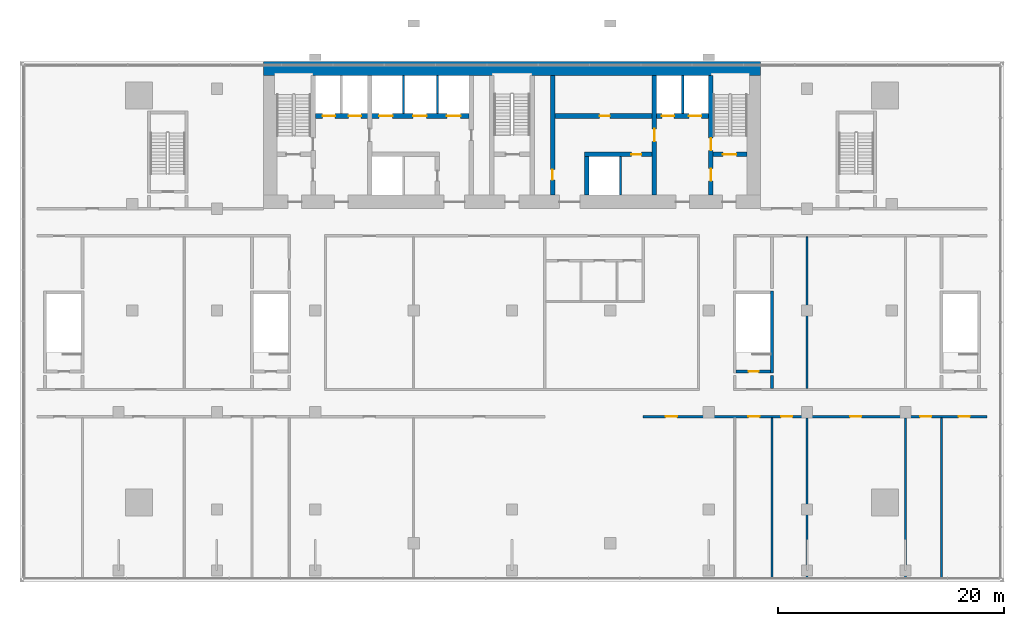
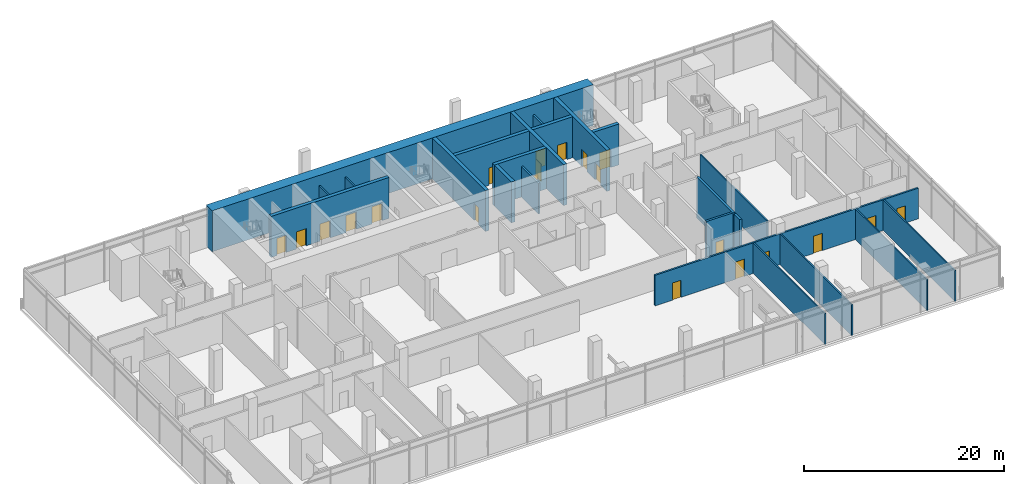
# One storey, part 13 of 17: 22 walls, 21 doors, 21 openings.
"""IFC4 building model written with IfcOpenShell, lengths in metres."""

from ifc_helpers import new_model, si_unit, direction, frame, frame_2d, origin, place, context, subcontext, project, spatial, rectangle, extrude, material, layer, layer_set, type_object, element, fill, save


model = new_model("IFC4")

# Units and contexts
model_context = context("Model", 3, precision=1e-05, world=origin(), true_north=direction((0.0, 1.0)))
body_context = subcontext(model_context, "Body", "Model", "MODEL_VIEW")
ifc_project = project(units=[si_unit("LENGTHUNIT", "METRE"), si_unit("AREAUNIT", "SQUARE_METRE"), si_unit("VOLUMEUNIT", "CUBIC_METRE"), si_unit("PLANEANGLEUNIT", "RADIAN"), si_unit("MASSUNIT", "GRAM", prefix="KILO")], contexts=[model_context])

# Site, building, storey
site_placement = place(None, origin())
site = spatial("IfcSite", under=ifc_project, at=site_placement, CompositionType="ELEMENT")
building_placement = place(site_placement, origin())
building = spatial("IfcBuilding", under=site, at=building_placement, Name="Bicima Exchange Tower", CompositionType="ELEMENT")
storey_placement = place(building_placement, frame((0.0, 0.0, 30.0)))
storey = spatial("IfcBuildingStorey", under=building, at=storey_placement, Name="L05", CompositionType="ELEMENT", Elevation=30.0)

# Walls
ifc_material_1 = material(Name="Gypsum board partition")
ifc_layer_1 = layer(ifc_material_1, 0.199951171875)
ifc_layer_set_1 = layer_set([ifc_layer_1], Name="Gypsum board partition")
wall_type_1 = type_object("IfcWallType", Name="Fire-rated gypsum partition 200 EI120", PredefinedType="PARTITIONING", material=ifc_layer_set_1)
for number, where, z_axis, x_axis, name in (
    (1, (-9.60009765625, -4.60009765625, 0.0), (0.0, 0.0, 1.0), (0.0, 1.0, 0.0), "partition wall 12"),
    (2, (-6.60009765625, -4.60009765625, 0.0), (0.0, 0.0, 1.0), (0.0, 1.0, 0.0), "partition wall 14"),
    (3, (9.60009765625, -11.800048828125, 0.0), (0.0, 0.0, 1.0), (0.0, 1.0, 0.0), "partition wall 20"),
    (4, (15.10009765625, -4.60009765625, 0.0), (0.0, 0.0, 1.0), (0.0, 1.0, 0.0), "partition wall 22"),
):
    element("IfcWall", number, at=place(storey_placement, frame(where, z_axis=z_axis, x_axis=x_axis)), inside=storey, type_object=wall_type_1, Name=name, PredefinedType="PARTITIONING", context=body_context, shape_type="SweptSolid", body=[
        extrude(rectangle(XDim=3.400146484375, YDim=0.199951171875, at=frame_2d((1.7001953125, 0.0))), origin(), (0.0, 0.0, 1.0), 3.740234375),
    ])

# Wall, openings, doors
ifc_layer_2 = layer(ifc_material_1, 0.199951171875)
ifc_layer_set_2 = layer_set([ifc_layer_2], Name="Gypsum board partition")
wall_type_2 = type_object("IfcWallType", Name="Fire-rated gypsum partition 200 EI60", PredefinedType="PARTITIONING", material=ifc_layer_set_2)
wall_1_placement = place(storey_placement, frame((11.60009765625, -31.39990234375, 0.0), z_axis=(0.0, 0.0, 1.0), x_axis=(1.0, 0.0, 0.0)))
wall_1 = element("IfcWall", 5, at=wall_1_placement, inside=storey, type_object=wall_type_2, Name="partition wall 2", PredefinedType="PARTITIONING", context=body_context, shape_type="SweptSolid", body=[
    extrude(rectangle(XDim=30.39990234375, YDim=0.199951171875, at=frame_2d((15.199951171875, 0.0))), origin(), (0.0, 0.0, 1.0), 3.740234375),
])
opening_1_placement = place(wall_1_placement, frame((2.0, 0.0, 0.0)))
opening_1 = element("IfcOpeningElement", 6, at=opening_1_placement, cuts=wall_1, Name="Opening L05-032", PredefinedType="OPENING", context=body_context, shape_type="SweptSolid", body=[
    extrude(rectangle(XDim=1.0, YDim=2.10009765625, at=frame_2d((0.5, 1.050048828125))), frame((0.0, 0.11181640625, 0.0), z_axis=(0.0, -1.0, 0.0), x_axis=(1.0, 0.0, 0.0)), (0.0, 0.0, 1.0), 0.223876953125),
])
opening_2_placement = place(wall_1_placement, frame((9.300048828125, 0.0, 0.0)))
opening_2 = element("IfcOpeningElement", 7, at=opening_2_placement, cuts=wall_1, Name="Opening L05-034", PredefinedType="OPENING", context=body_context, shape_type="SweptSolid", body=[
    extrude(rectangle(XDim=1.0, YDim=2.10009765625, at=frame_2d((0.5, 1.050048828125))), frame((0.0, 0.11181640625, 0.0), z_axis=(0.0, -1.0, 0.0), x_axis=(1.0, 0.0, 0.0)), (0.0, 0.0, 1.0), 0.223876953125),
])
opening_3_placement = place(wall_1_placement, frame((12.199951171875, 0.0, 0.0)))
opening_3 = element("IfcOpeningElement", 8, at=opening_3_placement, cuts=wall_1, Name="Opening L05-036", PredefinedType="OPENING", context=body_context, shape_type="SweptSolid", body=[
    extrude(rectangle(XDim=1.0, YDim=2.10009765625, at=frame_2d((0.5, 1.050048828125))), frame((0.0, 0.11181640625, 0.0), z_axis=(0.0, -1.0, 0.0), x_axis=(1.0, 0.0, 0.0)), (0.0, 0.0, 1.0), 0.223876953125),
])
opening_4_placement = place(wall_1_placement, frame((18.300048828125, 0.0, 0.0)))
opening_4 = element("IfcOpeningElement", 9, at=opening_4_placement, cuts=wall_1, Name="Opening L05-038", PredefinedType="OPENING", context=body_context, shape_type="SweptSolid", body=[
    extrude(rectangle(XDim=1.0, YDim=2.10009765625, at=frame_2d((0.5, 1.050048828125))), frame((0.0, 0.11181640625, 0.0), z_axis=(0.0, -1.0, 0.0), x_axis=(1.0, 0.0, 0.0)), (0.0, 0.0, 1.0), 0.223876953125),
])
opening_5_placement = place(wall_1_placement, frame((24.5, 0.0, 0.0)))
opening_5 = element("IfcOpeningElement", 10, at=opening_5_placement, cuts=wall_1, Name="Opening L05-040", PredefinedType="OPENING", context=body_context, shape_type="SweptSolid", body=[
    extrude(rectangle(XDim=1.0, YDim=2.10009765625, at=frame_2d((0.5, 1.050048828125))), frame((0.0, 0.11181640625, 0.0), z_axis=(0.0, -1.0, 0.0), x_axis=(1.0, 0.0, 0.0)), (0.0, 0.0, 1.0), 0.223876953125),
])
opening_6_placement = place(wall_1_placement, frame((27.89990234375, 0.0, 0.0)))
opening_6 = element("IfcOpeningElement", 11, at=opening_6_placement, cuts=wall_1, Name="Opening L05-042", PredefinedType="OPENING", context=body_context, shape_type="SweptSolid", body=[
    extrude(rectangle(XDim=1.0, YDim=2.10009765625, at=frame_2d((0.5, 1.050048828125))), frame((0.0, 0.11181640625, 0.0), z_axis=(0.0, -1.0, 0.0), x_axis=(1.0, 0.0, 0.0)), (0.0, 0.0, 1.0), 0.223876953125),
])
ifc_material_2 = material(Name="Steel fire door leaf", Category="steel")
door_type_1 = type_object("IfcDoorType", Name="Door 1000 swing FD30S", OperationType="SINGLE_SWING_LEFT", PredefinedType="DOOR", material=ifc_material_2)
door_1_placement = place(opening_1_placement, frame((1.0, 0.0, 0.0), z_axis=(0.0, 0.0, 1.0), x_axis=(-1.0, 0.0, 0.0)))
door_1 = element("IfcDoor", 12, at=door_1_placement, inside=storey, type_object=door_type_1, Name="Door", OperationType="SINGLE_SWING_RIGHT", OverallHeight=2.10009765625, OverallWidth=1.0, PredefinedType="DOOR", context=body_context, shape_type="SweptSolid", body=[
    extrude(rectangle(XDim=1.0, YDim=2.10009765625, at=frame_2d((0.5, 1.050048828125))), frame((0.0, 0.02490234375, 0.0), z_axis=(0.0, -1.0, 0.0), x_axis=(1.0, 0.0, 0.0)), (0.0, 0.0, 1.0), 0.050048828125),
])
fill(opening_1, door_1)
door_2_placement = place(opening_2_placement, frame((1.0, 0.0, 0.0), z_axis=(0.0, 0.0, 1.0), x_axis=(-1.0, 0.0, 0.0)))
door_2 = element("IfcDoor", 13, at=door_2_placement, inside=storey, type_object=door_type_1, Name="Door", OperationType="SINGLE_SWING_LEFT", OverallHeight=2.10009765625, OverallWidth=1.0, PredefinedType="DOOR", context=body_context, shape_type="SweptSolid", body=[
    extrude(rectangle(XDim=1.0, YDim=2.10009765625, at=frame_2d((0.5, 1.050048828125))), frame((0.0, 0.02490234375, 0.0), z_axis=(0.0, -1.0, 0.0), x_axis=(1.0, 0.0, 0.0)), (0.0, 0.0, 1.0), 0.050048828125),
])
fill(opening_2, door_2)
door_3_placement = place(opening_3_placement, frame((1.0, 0.0, 0.0), z_axis=(0.0, 0.0, 1.0), x_axis=(-1.0, 0.0, 0.0)))
door_3 = element("IfcDoor", 14, at=door_3_placement, inside=storey, type_object=door_type_1, Name="Door", OperationType="SINGLE_SWING_RIGHT", OverallHeight=2.10009765625, OverallWidth=1.0, PredefinedType="DOOR", context=body_context, shape_type="SweptSolid", body=[
    extrude(rectangle(XDim=1.0, YDim=2.10009765625, at=frame_2d((0.5, 1.050048828125))), frame((0.0, 0.02490234375, 0.0), z_axis=(0.0, -1.0, 0.0), x_axis=(1.0, 0.0, 0.0)), (0.0, 0.0, 1.0), 0.050048828125),
])
fill(opening_3, door_3)
door_4_placement = place(opening_4_placement, frame((1.0, 0.0, 0.0), z_axis=(0.0, 0.0, 1.0), x_axis=(-1.0, 0.0, 0.0)))
door_4 = element("IfcDoor", 15, at=door_4_placement, inside=storey, type_object=door_type_1, Name="Door", OperationType="SINGLE_SWING_RIGHT", OverallHeight=2.10009765625, OverallWidth=1.0, PredefinedType="DOOR", context=body_context, shape_type="SweptSolid", body=[
    extrude(rectangle(XDim=1.0, YDim=2.10009765625, at=frame_2d((0.5, 1.050048828125))), frame((0.0, 0.02490234375, 0.0), z_axis=(0.0, -1.0, 0.0), x_axis=(1.0, 0.0, 0.0)), (0.0, 0.0, 1.0), 0.050048828125),
])
fill(opening_4, door_4)
door_5_placement = place(opening_5_placement, frame((1.0, 0.0, 0.0), z_axis=(0.0, 0.0, 1.0), x_axis=(-1.0, 0.0, 0.0)))
door_5 = element("IfcDoor", 16, at=door_5_placement, inside=storey, type_object=door_type_1, Name="Door", OperationType="SINGLE_SWING_LEFT", OverallHeight=2.10009765625, OverallWidth=1.0, PredefinedType="DOOR", context=body_context, shape_type="SweptSolid", body=[
    extrude(rectangle(XDim=1.0, YDim=2.10009765625, at=frame_2d((0.5, 1.050048828125))), frame((0.0, 0.02490234375, 0.0), z_axis=(0.0, -1.0, 0.0), x_axis=(1.0, 0.0, 0.0)), (0.0, 0.0, 1.0), 0.050048828125),
])
fill(opening_5, door_5)
door_6_placement = place(opening_6_placement, frame((1.0, 0.0, 0.0), z_axis=(0.0, 0.0, 1.0), x_axis=(-1.0, 0.0, 0.0)))
door_6 = element("IfcDoor", 17, at=door_6_placement, inside=storey, type_object=door_type_1, Name="Door", OperationType="SINGLE_SWING_RIGHT", OverallHeight=2.10009765625, OverallWidth=1.0, PredefinedType="DOOR", context=body_context, shape_type="SweptSolid", body=[
    extrude(rectangle(XDim=1.0, YDim=2.10009765625, at=frame_2d((0.5, 1.050048828125))), frame((0.0, 0.02490234375, 0.0), z_axis=(0.0, -1.0, 0.0), x_axis=(1.0, 0.0, 0.0)), (0.0, 0.0, 1.0), 0.050048828125),
])
fill(opening_6, door_6)

# Walls
ifc_layer_3 = layer(ifc_material_1, 0.14990234375)
ifc_layer_set_3 = layer_set([ifc_layer_3], Name="Gypsum board partition")
wall_type_3 = type_object("IfcWallType", Name="Gypsum partition 150", PredefinedType="PARTITIONING", material=ifc_layer_set_3)
for number, where, z_axis, x_axis, name in (
    (18, (23.0, -45.7900390625, 0.0), (0.0, 0.0, 1.0), (0.0, 1.0, 0.0), "partition wall 48"),
    (19, (26.10009765625, -45.7900390625, 0.0), (0.0, 0.0, 1.0), (0.0, 1.0, 0.0), "partition wall 50"),
):
    element("IfcWall", number, at=place(storey_placement, frame(where, z_axis=z_axis, x_axis=x_axis)), inside=storey, type_object=wall_type_3, Name=name, PredefinedType="PARTITIONING", context=body_context, shape_type="SweptSolid", body=[
        extrude(rectangle(XDim=14.2900390625, YDim=0.14990234375, at=frame_2d((7.14501953125, 0.0))), origin(), (0.0, 0.0, 1.0), 3.740234375),
    ])
wall_2_placement = place(storey_placement, frame((26.10009765625, -28.89990234375, 0.0), z_axis=(0.0, 0.0, 1.0), x_axis=(0.0, 1.0, 0.0)))
element("IfcWall", 20, at=wall_2_placement, inside=storey, type_object=wall_type_3, Name="partition wall 51", PredefinedType="PARTITIONING", context=body_context, shape_type="SweptSolid", body=[
    extrude(rectangle(XDim=13.39990234375, YDim=0.14990234375, at=frame_2d((6.699951171875, 0.0))), origin(), (0.0, 0.0, 1.0), 3.740234375),
])
for number, where, z_axis, x_axis, name in (
    (21, (34.800048828125, -45.7900390625, 0.0), (0.0, 0.0, 1.0), (0.0, 1.0, 0.0), "partition wall 54"),
    (22, (38.0, -45.7900390625, 0.0), (0.0, 0.0, 1.0), (0.0, 1.0, 0.0), "partition wall 56"),
):
    element("IfcWall", number, at=place(storey_placement, frame(where, z_axis=z_axis, x_axis=x_axis)), inside=storey, type_object=wall_type_3, Name=name, PredefinedType="PARTITIONING", context=body_context, shape_type="SweptSolid", body=[
        extrude(rectangle(XDim=14.2900390625, YDim=0.14990234375, at=frame_2d((7.14501953125, 0.0))), origin(), (0.0, 0.0, 1.0), 3.740234375),
    ])
ifc_material_3 = material(Name="Concrete C60/75", Category="concrete")
ifc_layer_4 = layer(ifc_material_3, 1.199951171875)
ifc_layer_set_4 = layer_set([ifc_layer_4], Name="Concrete C60/75")
wall_type_4 = type_object("IfcWallType", Name="RC core wall 1200 C60/75", PredefinedType="SHEAR", material=ifc_layer_set_4)
wall_3_placement = place(storey_placement, frame((-22.0, -0.60009765625, 0.0), z_axis=(0.0, 0.0, 1.0), x_axis=(1.0, 0.0, 0.0)))
element("IfcWall", 23, at=wall_3_placement, inside=storey, type_object=wall_type_4, Name="Core wall north", PredefinedType="SHEAR", context=body_context, shape_type="SweptSolid", body=[
    extrude(rectangle(XDim=44.0, YDim=1.199951171875, at=frame_2d((22.0, 0.0))), origin(), (0.0, 0.0, 1.0), 5.0),
])
ifc_material_4 = material(Name="Concrete C50/60", Category="concrete")
ifc_layer_5 = layer(ifc_material_4, 0.25)
ifc_layer_set_5 = layer_set([ifc_layer_5], Name="Concrete C50/60")
wall_type_5 = type_object("IfcWallType", Name="RC core wall 250 C50/60", PredefinedType="SHEAR", material=ifc_layer_set_5)
wall_4_placement = place(storey_placement, frame((23.0, -28.89990234375, 0.0), z_axis=(0.0, 0.0, 1.0), x_axis=(0.0, 1.0, 0.0)))
element("IfcWall", 24, at=wall_4_placement, inside=storey, type_object=wall_type_5, Name="stair wall 49", PredefinedType="SHEAR", context=body_context, shape_type="SweptSolid", body=[
    extrude(rectangle(XDim=1.14990234375, YDim=0.25, at=frame_2d((0.574951171875, 0.0))), origin(), (0.0, 0.0, 1.0), 5.0),
])

# Wall, opening, door
ifc_layer_6 = layer(ifc_material_4, 0.39990234375)
ifc_layer_set_6 = layer_set([ifc_layer_6], Name="Concrete C50/60")
wall_type_6 = type_object("IfcWallType", Name="RC core wall 400 C50/60", PredefinedType="SHEAR", material=ifc_layer_set_6)
wall_5_placement = place(storey_placement, frame((17.800048828125, -8.199951171875, 0.0), z_axis=(0.0, 0.0, 1.0), x_axis=(1.0, 0.0, 0.0)))
wall_5 = element("IfcWall", 25, at=wall_5_placement, inside=storey, type_object=wall_type_6, Name="stair wall 5", PredefinedType="SHEAR", context=body_context, shape_type="SweptSolid", body=[
    extrude(rectangle(XDim=3.0, YDim=0.39990234375, at=frame_2d((1.5, 0.0))), origin(), (0.0, 0.0, 1.0), 5.0),
])
opening_7_placement = place(wall_5_placement, frame((0.85009765625, 0.0, 0.0)))
opening_7 = element("IfcOpeningElement", 26, at=opening_7_placement, cuts=wall_5, Name="Opening L05-C04", PredefinedType="OPENING", context=body_context, shape_type="SweptSolid", body=[
    extrude(rectangle(XDim=1.199951171875, YDim=2.10009765625, at=frame_2d((0.60009765625, 1.050048828125))), frame((0.0, 0.2119140625, 0.0), z_axis=(0.0, -1.0, 0.0), x_axis=(1.0, 0.0, 0.0)), (0.0, 0.0, 1.0), 0.423828125),
])
door_type_2 = type_object("IfcDoorType", Name="Door 1200 swing FD60S", OperationType="SINGLE_SWING_LEFT", PredefinedType="DOOR", material=ifc_material_2)
door_7_placement = place(opening_7_placement, origin())
door_7 = element("IfcDoor", 27, at=door_7_placement, inside=storey, type_object=door_type_2, Name="Core door", OperationType="SINGLE_SWING_RIGHT", OverallHeight=2.10009765625, OverallWidth=1.199951171875, PredefinedType="DOOR", context=body_context, shape_type="SweptSolid", body=[
    extrude(rectangle(XDim=1.199951171875, YDim=2.10009765625, at=frame_2d((0.60009765625, 1.050048828125))), frame((0.0, 0.02490234375, 0.0), z_axis=(0.0, -1.0, 0.0), x_axis=(1.0, 0.0, 0.0)), (0.0, 0.0, 1.0), 0.050048828125),
])
fill(opening_7, door_7)

# Wall, openings, doors
wall_6_placement = place(storey_placement, frame((17.60009765625, -11.800048828125, 0.0), z_axis=(0.0, 0.0, 1.0), x_axis=(0.0, 1.0, 0.0)))
wall_6 = element("IfcWall", 28, at=wall_6_placement, inside=storey, type_object=wall_type_6, Name="stair wall 23", PredefinedType="SHEAR", context=body_context, shape_type="SweptSolid", body=[
    extrude(rectangle(XDim=10.60009765625, YDim=0.39990234375, at=frame_2d((5.300048828125, 0.0))), origin(), (0.0, 0.0, 1.0), 5.0),
])
opening_8_placement = place(wall_6_placement, frame((1.25, 0.0, 0.0)))
opening_8 = element("IfcOpeningElement", 29, at=opening_8_placement, cuts=wall_6, Name="Opening L05-C05", PredefinedType="OPENING", context=body_context, shape_type="SweptSolid", body=[
    extrude(rectangle(XDim=1.10009765625, YDim=2.10009765625, at=frame_2d((0.550048828125, 1.050048828125))), frame((0.0, 0.2119140625, 0.0), z_axis=(0.0, -1.0, 0.0), x_axis=(1.0, 0.0, 0.0)), (0.0, 0.0, 1.0), 0.423828125),
])
opening_9_placement = place(wall_6_placement, frame((3.949951171875, 0.0, 0.0)))
opening_9 = element("IfcOpeningElement", 30, at=opening_9_placement, cuts=wall_6, Name="Opening L05-C08", PredefinedType="OPENING", context=body_context, shape_type="SweptSolid", body=[
    extrude(rectangle(XDim=1.10009765625, YDim=2.10009765625, at=frame_2d((0.550048828125, 1.050048828125))), frame((0.0, 0.2119140625, 0.0), z_axis=(0.0, -1.0, 0.0), x_axis=(1.0, 0.0, 0.0)), (0.0, 0.0, 1.0), 0.423828125),
])
door_type_3 = type_object("IfcDoorType", Name="Door 1100 swing FD60S", OperationType="SINGLE_SWING_LEFT", PredefinedType="DOOR", material=ifc_material_2)
door_8_placement = place(opening_8_placement, origin())
door_8 = element("IfcDoor", 31, at=door_8_placement, inside=storey, type_object=door_type_3, Name="Core door", OperationType="SINGLE_SWING_LEFT", OverallHeight=2.10009765625, OverallWidth=1.10009765625, PredefinedType="DOOR", context=body_context, shape_type="SweptSolid", body=[
    extrude(rectangle(XDim=1.10009765625, YDim=2.10009765625, at=frame_2d((0.550048828125, 1.050048828125))), frame((0.0, 0.02490234375, 0.0), z_axis=(0.0, -1.0, 0.0), x_axis=(1.0, 0.0, 0.0)), (0.0, 0.0, 1.0), 0.050048828125),
])
fill(opening_8, door_8)
door_9_placement = place(opening_9_placement, origin())
door_9 = element("IfcDoor", 32, at=door_9_placement, inside=storey, type_object=door_type_3, Name="Core door", OperationType="SINGLE_SWING_RIGHT", OverallHeight=2.10009765625, OverallWidth=1.10009765625, PredefinedType="DOOR", context=body_context, shape_type="SweptSolid", body=[
    extrude(rectangle(XDim=1.10009765625, YDim=2.10009765625, at=frame_2d((0.550048828125, 1.050048828125))), frame((0.0, 0.02490234375, 0.0), z_axis=(0.0, -1.0, 0.0), x_axis=(1.0, 0.0, 0.0)), (0.0, 0.0, 1.0), 0.050048828125),
])
fill(opening_9, door_9)

# Wall, opening, door
ifc_layer_7 = layer(ifc_material_3, 0.39990234375)
ifc_layer_set_7 = layer_set([ifc_layer_7], Name="Concrete C60/75")
wall_type_7 = type_object("IfcWallType", Name="RC core wall 400 C60/75", PredefinedType="SHEAR", material=ifc_layer_set_7)
wall_7_placement = place(storey_placement, frame((6.39990234375, -8.199951171875, 0.0), z_axis=(0.0, 0.0, 1.0), x_axis=(1.0, 0.0, 0.0)))
wall_7 = element("IfcWall", 33, at=wall_7_placement, inside=storey, type_object=wall_type_7, Name="shear wall 4", PredefinedType="SHEAR", context=body_context, shape_type="SweptSolid", body=[
    extrude(rectangle(XDim=6.0, YDim=0.39990234375, at=frame_2d((3.0, 0.0))), origin(), (0.0, 0.0, 1.0), 5.0),
])
opening_10_placement = place(wall_7_placement, frame((4.14990234375, 0.0, 0.0)))
opening_10 = element("IfcOpeningElement", 34, at=opening_10_placement, cuts=wall_7, Name="Opening L05-C14", PredefinedType="OPENING", context=body_context, shape_type="SweptSolid", body=[
    extrude(rectangle(XDim=0.89990234375, YDim=2.10009765625, at=frame_2d((0.449951171875, 1.050048828125))), frame((0.0, 0.2119140625, 0.0), z_axis=(0.0, -1.0, 0.0), x_axis=(1.0, 0.0, 0.0)), (0.0, 0.0, 1.0), 0.423828125),
])
door_type_4 = type_object("IfcDoorType", Name="Door 900 swing FD30S", OperationType="SINGLE_SWING_LEFT", PredefinedType="DOOR", material=ifc_material_2)
door_10_placement = place(opening_10_placement, frame((0.89990234375, 0.0, 0.0), z_axis=(0.0, 0.0, 1.0), x_axis=(-1.0, 0.0, 0.0)))
door_10 = element("IfcDoor", 35, at=door_10_placement, inside=storey, type_object=door_type_4, Name="Core door", OperationType="SINGLE_SWING_LEFT", OverallHeight=2.10009765625, OverallWidth=0.89990234375, PredefinedType="DOOR", context=body_context, shape_type="SweptSolid", body=[
    extrude(rectangle(XDim=0.89990234375, YDim=2.10009765625, at=frame_2d((0.449951171875, 1.050048828125))), frame((0.0, 0.02490234375, 0.0), z_axis=(0.0, -1.0, 0.0), x_axis=(1.0, 0.0, 0.0)), (0.0, 0.0, 1.0), 0.050048828125),
])
fill(opening_10, door_10)

# Wall, openings, doors
wall_8_placement = place(storey_placement, frame((-17.39990234375, -4.800048828125, 0.0), z_axis=(0.0, 0.0, 1.0), x_axis=(1.0, 0.0, 0.0)))
wall_8 = element("IfcWall", 36, at=wall_8_placement, inside=storey, type_object=wall_type_7, Name="shear wall 6", PredefinedType="SHEAR", context=body_context, shape_type="SweptSolid", body=[
    extrude(rectangle(XDim=13.599853515625, YDim=0.39990234375, at=frame_2d((6.7998046875, 0.0))), origin(), (0.0, 0.0, 1.0), 5.0),
])
opening_11_placement = place(wall_8_placement, frame((0.64990234375, 0.0, 0.0)))
opening_11 = element("IfcOpeningElement", 37, at=opening_11_placement, cuts=wall_8, Name="Opening LD-FF1-L05", PredefinedType="OPENING", context=body_context, shape_type="SweptSolid", body=[
    extrude(rectangle(XDim=1.10009765625, YDim=2.10009765625, at=frame_2d((0.550048828125, 1.050048828125))), frame((0.0, 0.2119140625, 0.0), z_axis=(0.0, -1.0, 0.0), x_axis=(1.0, 0.0, 0.0)), (0.0, 0.0, 1.0), 0.423828125),
])
opening_12_placement = place(wall_8_placement, frame((2.949951171875, 0.0, 0.0)))
opening_12 = element("IfcOpeningElement", 38, at=opening_12_placement, cuts=wall_8, Name="Opening LD-FF3-L05", PredefinedType="OPENING", context=body_context, shape_type="SweptSolid", body=[
    extrude(rectangle(XDim=1.10009765625, YDim=2.10009765625, at=frame_2d((0.550048828125, 1.050048828125))), frame((0.0, 0.2119140625, 0.0), z_axis=(0.0, -1.0, 0.0), x_axis=(1.0, 0.0, 0.0)), (0.0, 0.0, 1.0), 0.423828125),
])
opening_13_placement = place(wall_8_placement, frame((5.64990234375, 0.0, 0.0)))
opening_13 = element("IfcOpeningElement", 39, at=opening_13_placement, cuts=wall_8, Name="Opening LD-LB1-L05", PredefinedType="OPENING", context=body_context, shape_type="SweptSolid", body=[
    extrude(rectangle(XDim=1.199951171875, YDim=2.10009765625, at=frame_2d((0.60009765625, 1.050048828125))), frame((0.0, 0.2119140625, 0.0), z_axis=(0.0, -1.0, 0.0), x_axis=(1.0, 0.0, 0.0)), (0.0, 0.0, 1.0), 0.423828125),
])
opening_14_placement = place(wall_8_placement, frame((8.64990234375, 0.0, 0.0)))
opening_14 = element("IfcOpeningElement", 40, at=opening_14_placement, cuts=wall_8, Name="Opening LD-LB2-L05", PredefinedType="OPENING", context=body_context, shape_type="SweptSolid", body=[
    extrude(rectangle(XDim=1.199951171875, YDim=2.10009765625, at=frame_2d((0.60009765625, 1.050048828125))), frame((0.0, 0.2119140625, 0.0), z_axis=(0.0, -1.0, 0.0), x_axis=(1.0, 0.0, 0.0)), (0.0, 0.0, 1.0), 0.423828125),
])
opening_15_placement = place(wall_8_placement, frame((11.64990234375, 0.0, 0.0)))
opening_15 = element("IfcOpeningElement", 41, at=opening_15_placement, cuts=wall_8, Name="Opening LD-LB3-L05", PredefinedType="OPENING", context=body_context, shape_type="SweptSolid", body=[
    extrude(rectangle(XDim=1.199951171875, YDim=2.10009765625, at=frame_2d((0.60009765625, 1.050048828125))), frame((0.0, 0.2119140625, 0.0), z_axis=(0.0, -1.0, 0.0), x_axis=(1.0, 0.0, 0.0)), (0.0, 0.0, 1.0), 0.423828125),
])
ifc_material_5 = material(Name="Stainless steel", Category="steel")
door_type_5 = type_object("IfcDoorType", Name="Lift landing door 1100 sliding", OperationType="DOUBLE_DOOR_SLIDING", PredefinedType="DOOR", material=ifc_material_5)
door_11_placement = place(opening_11_placement, origin())
door_11 = element("IfcDoor", 42, at=door_11_placement, inside=storey, type_object=door_type_5, Name="Lift landing door FF1", OperationType="DOUBLE_DOOR_SLIDING", OverallHeight=2.10009765625, OverallWidth=1.10009765625, PredefinedType="DOOR", context=body_context, shape_type="SweptSolid", body=[
    extrude(rectangle(XDim=1.10009765625, YDim=2.10009765625, at=frame_2d((0.550048828125, 1.050048828125))), frame((0.0, 0.02490234375, 0.0), z_axis=(0.0, -1.0, 0.0), x_axis=(1.0, 0.0, 0.0)), (0.0, 0.0, 1.0), 0.050048828125),
])
fill(opening_11, door_11)
door_12_placement = place(opening_12_placement, origin())
door_12 = element("IfcDoor", 43, at=door_12_placement, inside=storey, type_object=door_type_5, Name="Lift landing door FF3", OperationType="DOUBLE_DOOR_SLIDING", OverallHeight=2.10009765625, OverallWidth=1.10009765625, PredefinedType="DOOR", context=body_context, shape_type="SweptSolid", body=[
    extrude(rectangle(XDim=1.10009765625, YDim=2.10009765625, at=frame_2d((0.550048828125, 1.050048828125))), frame((0.0, 0.02490234375, 0.0), z_axis=(0.0, -1.0, 0.0), x_axis=(1.0, 0.0, 0.0)), (0.0, 0.0, 1.0), 0.050048828125),
])
fill(opening_12, door_12)
door_type_6 = type_object("IfcDoorType", Name="Lift landing door 1200 sliding", OperationType="DOUBLE_DOOR_SLIDING", PredefinedType="DOOR", material=ifc_material_5)
door_13_placement = place(opening_13_placement, origin())
door_13 = element("IfcDoor", 44, at=door_13_placement, inside=storey, type_object=door_type_6, Name="Lift landing door LB1", OperationType="DOUBLE_DOOR_SLIDING", OverallHeight=2.10009765625, OverallWidth=1.199951171875, PredefinedType="DOOR", context=body_context, shape_type="SweptSolid", body=[
    extrude(rectangle(XDim=1.199951171875, YDim=2.10009765625, at=frame_2d((0.60009765625, 1.050048828125))), frame((0.0, 0.02490234375, 0.0), z_axis=(0.0, -1.0, 0.0), x_axis=(1.0, 0.0, 0.0)), (0.0, 0.0, 1.0), 0.050048828125),
])
fill(opening_13, door_13)
door_14_placement = place(opening_14_placement, origin())
door_14 = element("IfcDoor", 45, at=door_14_placement, inside=storey, type_object=door_type_6, Name="Lift landing door LB2", OperationType="DOUBLE_DOOR_SLIDING", OverallHeight=2.10009765625, OverallWidth=1.199951171875, PredefinedType="DOOR", context=body_context, shape_type="SweptSolid", body=[
    extrude(rectangle(XDim=1.199951171875, YDim=2.10009765625, at=frame_2d((0.60009765625, 1.050048828125))), frame((0.0, 0.02490234375, 0.0), z_axis=(0.0, -1.0, 0.0), x_axis=(1.0, 0.0, 0.0)), (0.0, 0.0, 1.0), 0.050048828125),
])
fill(opening_14, door_14)
door_15_placement = place(opening_15_placement, origin())
door_15 = element("IfcDoor", 46, at=door_15_placement, inside=storey, type_object=door_type_6, Name="Lift landing door LB3", OperationType="DOUBLE_DOOR_SLIDING", OverallHeight=2.10009765625, OverallWidth=1.199951171875, PredefinedType="DOOR", context=body_context, shape_type="SweptSolid", body=[
    extrude(rectangle(XDim=1.199951171875, YDim=2.10009765625, at=frame_2d((0.60009765625, 1.050048828125))), frame((0.0, 0.02490234375, 0.0), z_axis=(0.0, -1.0, 0.0), x_axis=(1.0, 0.0, 0.0)), (0.0, 0.0, 1.0), 0.050048828125),
])
fill(opening_15, door_15)

wall_9_placement = place(storey_placement, frame((3.800048828125, -4.800048828125, 0.0), z_axis=(0.0, 0.0, 1.0), x_axis=(1.0, 0.0, 0.0)))
wall_9 = element("IfcWall", 47, at=wall_9_placement, inside=storey, type_object=wall_type_7, Name="shear wall 7", PredefinedType="SHEAR", context=body_context, shape_type="SweptSolid", body=[
    extrude(rectangle(XDim=13.599853515625, YDim=0.39990234375, at=frame_2d((6.7998046875, 0.0))), origin(), (0.0, 0.0, 1.0), 5.0),
])
opening_16_placement = place(wall_9_placement, frame((9.449951171875, 0.0, 0.0)))
opening_16 = element("IfcOpeningElement", 48, at=opening_16_placement, cuts=wall_9, Name="Opening LD-FF2-L05", PredefinedType="OPENING", context=body_context, shape_type="SweptSolid", body=[
    extrude(rectangle(XDim=1.10009765625, YDim=2.10009765625, at=frame_2d((0.550048828125, 1.050048828125))), frame((0.0, 0.2119140625, 0.0), z_axis=(0.0, -1.0, 0.0), x_axis=(1.0, 0.0, 0.0)), (0.0, 0.0, 1.0), 0.423828125),
])
opening_17_placement = place(wall_9_placement, frame((11.85009765625, 0.0, 0.0)))
opening_17 = element("IfcOpeningElement", 49, at=opening_17_placement, cuts=wall_9, Name="Opening LD-SV1-L05", PredefinedType="OPENING", context=body_context, shape_type="SweptSolid", body=[
    extrude(rectangle(XDim=1.10009765625, YDim=2.10009765625, at=frame_2d((0.550048828125, 1.050048828125))), frame((0.0, 0.2119140625, 0.0), z_axis=(0.0, -1.0, 0.0), x_axis=(1.0, 0.0, 0.0)), (0.0, 0.0, 1.0), 0.423828125),
])
opening_18_placement = place(wall_9_placement, frame((3.949951171875, 0.0, 0.0)))
opening_18 = element("IfcOpeningElement", 50, at=opening_18_placement, cuts=wall_9, Name="Opening L05-C12", PredefinedType="OPENING", context=body_context, shape_type="SweptSolid", body=[
    extrude(rectangle(XDim=0.89990234375, YDim=2.10009765625, at=frame_2d((0.449951171875, 1.050048828125))), frame((0.0, 0.2119140625, 0.0), z_axis=(0.0, -1.0, 0.0), x_axis=(1.0, 0.0, 0.0)), (0.0, 0.0, 1.0), 0.423828125),
])
door_16_placement = place(opening_18_placement, origin())
door_16 = element("IfcDoor", 51, at=door_16_placement, inside=storey, type_object=door_type_4, Name="Core door", OperationType="SINGLE_SWING_RIGHT", OverallHeight=2.10009765625, OverallWidth=0.89990234375, PredefinedType="DOOR", context=body_context, shape_type="SweptSolid", body=[
    extrude(rectangle(XDim=0.89990234375, YDim=2.10009765625, at=frame_2d((0.449951171875, 1.050048828125))), frame((0.0, 0.02490234375, 0.0), z_axis=(0.0, -1.0, 0.0), x_axis=(1.0, 0.0, 0.0)), (0.0, 0.0, 1.0), 0.050048828125),
])
fill(opening_18, door_16)
door_17_placement = place(opening_16_placement, origin())
door_17 = element("IfcDoor", 52, at=door_17_placement, inside=storey, type_object=door_type_5, Name="Lift landing door FF2", OperationType="DOUBLE_DOOR_SLIDING", OverallHeight=2.10009765625, OverallWidth=1.10009765625, PredefinedType="DOOR", context=body_context, shape_type="SweptSolid", body=[
    extrude(rectangle(XDim=1.10009765625, YDim=2.10009765625, at=frame_2d((0.550048828125, 1.050048828125))), frame((0.0, 0.02490234375, 0.0), z_axis=(0.0, -1.0, 0.0), x_axis=(1.0, 0.0, 0.0)), (0.0, 0.0, 1.0), 0.050048828125),
])
fill(opening_16, door_17)
door_18_placement = place(opening_17_placement, origin())
door_18 = element("IfcDoor", 53, at=door_18_placement, inside=storey, type_object=door_type_5, Name="Lift landing door SV1", OperationType="DOUBLE_DOOR_SLIDING", OverallHeight=2.10009765625, OverallWidth=1.10009765625, PredefinedType="DOOR", context=body_context, shape_type="SweptSolid", body=[
    extrude(rectangle(XDim=1.10009765625, YDim=2.10009765625, at=frame_2d((0.550048828125, 1.050048828125))), frame((0.0, 0.02490234375, 0.0), z_axis=(0.0, -1.0, 0.0), x_axis=(1.0, 0.0, 0.0)), (0.0, 0.0, 1.0), 0.050048828125),
])
fill(opening_17, door_18)

# Wall, opening, door
wall_10_placement = place(storey_placement, frame((3.60009765625, -11.800048828125, 0.0), z_axis=(0.0, 0.0, 1.0), x_axis=(0.0, 1.0, 0.0)))
wall_10 = element("IfcWall", 54, at=wall_10_placement, inside=storey, type_object=wall_type_7, Name="shear wall 18", PredefinedType="SHEAR", context=body_context, shape_type="SweptSolid", body=[
    extrude(rectangle(XDim=10.60009765625, YDim=0.39990234375, at=frame_2d((5.300048828125, 0.0))), origin(), (0.0, 0.0, 1.0), 5.0),
])
opening_19_placement = place(wall_10_placement, frame((1.35009765625, 0.0, 0.0)))
opening_19 = element("IfcOpeningElement", 55, at=opening_19_placement, cuts=wall_10, Name="Opening L05-C11", PredefinedType="OPENING", context=body_context, shape_type="SweptSolid", body=[
    extrude(rectangle(XDim=0.89990234375, YDim=2.10009765625, at=frame_2d((0.449951171875, 1.050048828125))), frame((0.0, 0.2119140625, 0.0), z_axis=(0.0, -1.0, 0.0), x_axis=(1.0, 0.0, 0.0)), (0.0, 0.0, 1.0), 0.423828125),
])
door_19_placement = place(opening_19_placement, origin())
door_19 = element("IfcDoor", 56, at=door_19_placement, inside=storey, type_object=door_type_4, Name="Core door", OperationType="SINGLE_SWING_LEFT", OverallHeight=2.10009765625, OverallWidth=0.89990234375, PredefinedType="DOOR", context=body_context, shape_type="SweptSolid", body=[
    extrude(rectangle(XDim=0.89990234375, YDim=2.10009765625, at=frame_2d((0.449951171875, 1.050048828125))), frame((0.0, 0.02490234375, 0.0), z_axis=(0.0, -1.0, 0.0), x_axis=(1.0, 0.0, 0.0)), (0.0, 0.0, 1.0), 0.050048828125),
])
fill(opening_19, door_19)

# Wall
wall_11_placement = place(storey_placement, frame((6.60009765625, -11.800048828125, 0.0), z_axis=(0.0, 0.0, 1.0), x_axis=(0.0, 1.0, 0.0)))
element("IfcWall", 57, at=wall_11_placement, inside=storey, type_object=wall_type_7, Name="shear wall 19", PredefinedType="SHEAR", context=body_context, shape_type="SweptSolid", body=[
    extrude(rectangle(XDim=3.400146484375, YDim=0.39990234375, at=frame_2d((1.7001953125, 0.0))), origin(), (0.0, 0.0, 1.0), 5.0),
])

# Wall, opening, door
wall_12_placement = place(storey_placement, frame((12.60009765625, -11.800048828125, 0.0), z_axis=(0.0, 0.0, 1.0), x_axis=(0.0, 1.0, 0.0)))
wall_12 = element("IfcWall", 58, at=wall_12_placement, inside=storey, type_object=wall_type_7, Name="shear wall 21", PredefinedType="SHEAR", context=body_context, shape_type="SweptSolid", body=[
    extrude(rectangle(XDim=10.60009765625, YDim=0.39990234375, at=frame_2d((5.300048828125, 0.0))), origin(), (0.0, 0.0, 1.0), 5.0),
])
opening_20_placement = place(wall_12_placement, frame((4.75, 0.0, 0.0)))
opening_20 = element("IfcOpeningElement", 59, at=opening_20_placement, cuts=wall_12, Name="Opening L05-C09", PredefinedType="OPENING", context=body_context, shape_type="SweptSolid", body=[
    extrude(rectangle(XDim=1.10009765625, YDim=2.10009765625, at=frame_2d((0.550048828125, 1.050048828125))), frame((0.0, 0.2119140625, 0.0), z_axis=(0.0, -1.0, 0.0), x_axis=(1.0, 0.0, 0.0)), (0.0, 0.0, 1.0), 0.423828125),
])
door_20_placement = place(opening_20_placement, frame((1.10009765625, 0.0, 0.0), z_axis=(0.0, 0.0, 1.0), x_axis=(-1.0, 0.0, 0.0)))
door_20 = element("IfcDoor", 60, at=door_20_placement, inside=storey, type_object=door_type_3, Name="Core door", OperationType="SINGLE_SWING_RIGHT", OverallHeight=2.10009765625, OverallWidth=1.10009765625, PredefinedType="DOOR", context=body_context, shape_type="SweptSolid", body=[
    extrude(rectangle(XDim=1.10009765625, YDim=2.10009765625, at=frame_2d((0.550048828125, 1.050048828125))), frame((0.0, 0.02490234375, 0.0), z_axis=(0.0, -1.0, 0.0), x_axis=(1.0, 0.0, 0.0)), (0.0, 0.0, 1.0), 0.050048828125),
])
fill(opening_20, door_20)

# Wall
ifc_layer_8 = layer(ifc_material_4, 0.25)
ifc_layer_set_8 = layer_set([ifc_layer_8], Name="Concrete C50/60")
wall_type_8 = type_object("IfcWallType", Name="RC stair enclosure wall 250 C50/60", PredefinedType="SHEAR", material=ifc_layer_set_8)
wall_13_placement = place(storey_placement, frame((23.0, -27.52490234375, 0.0), z_axis=(0.0, 0.0, 1.0), x_axis=(0.0, 1.0, 0.0)))
element("IfcWall", 61, at=wall_13_placement, inside=storey, type_object=wall_type_8, Name="Podium inner east stair wall E", PredefinedType="SHEAR", context=body_context, shape_type="SweptSolid", body=[
    extrude(rectangle(XDim=7.25, YDim=0.25, at=frame_2d((3.625, 0.0))), origin(), (0.0, 0.0, 1.0), 5.0),
])

# Wall, opening, door
wall_14_placement = place(storey_placement, frame((19.824951171875, -27.39990234375, 0.0), z_axis=(0.0, 0.0, 1.0), x_axis=(1.0, 0.0, 0.0)))
wall_14 = element("IfcWall", 62, at=wall_14_placement, inside=storey, type_object=wall_type_8, Name="Podium inner east stair wall S", PredefinedType="SHEAR", context=body_context, shape_type="SweptSolid", body=[
    extrude(rectangle(XDim=3.050048828125, YDim=0.25, at=frame_2d((1.52490234375, 0.0))), origin(), (0.0, 0.0, 1.0), 5.0),
])
opening_21_placement = place(wall_14_placement, frame((1.10009765625, 0.0, 0.0)))
opening_21 = element("IfcOpeningElement", 63, at=opening_21_placement, cuts=wall_14, Name="Opening L05-006", PredefinedType="OPENING", context=body_context, shape_type="SweptSolid", body=[
    extrude(rectangle(XDim=0.89990234375, YDim=2.10009765625, at=frame_2d((0.449951171875, 1.050048828125))), frame((0.0, 0.136962890625, 0.0), z_axis=(0.0, -1.0, 0.0), x_axis=(1.0, 0.0, 0.0)), (0.0, 0.0, 1.0), 0.27392578125),
])
door_type_7 = type_object("IfcDoorType", Name="Door 900 swing FD60S", OperationType="SINGLE_SWING_LEFT", PredefinedType="DOOR", material=ifc_material_2)
door_21_placement = place(opening_21_placement, origin())
door_21 = element("IfcDoor", 64, at=door_21_placement, inside=storey, type_object=door_type_7, Name="Door", OperationType="SINGLE_SWING_RIGHT", OverallHeight=2.10009765625, OverallWidth=0.89990234375, PredefinedType="DOOR", context=body_context, shape_type="SweptSolid", body=[
    extrude(rectangle(XDim=0.89990234375, YDim=2.10009765625, at=frame_2d((0.449951171875, 1.050048828125))), frame((0.0, 0.02490234375, 0.0), z_axis=(0.0, -1.0, 0.0), x_axis=(1.0, 0.0, 0.0)), (0.0, 0.0, 1.0), 0.050048828125),
])
fill(opening_21, door_21)

save(model, "model.ifc")
